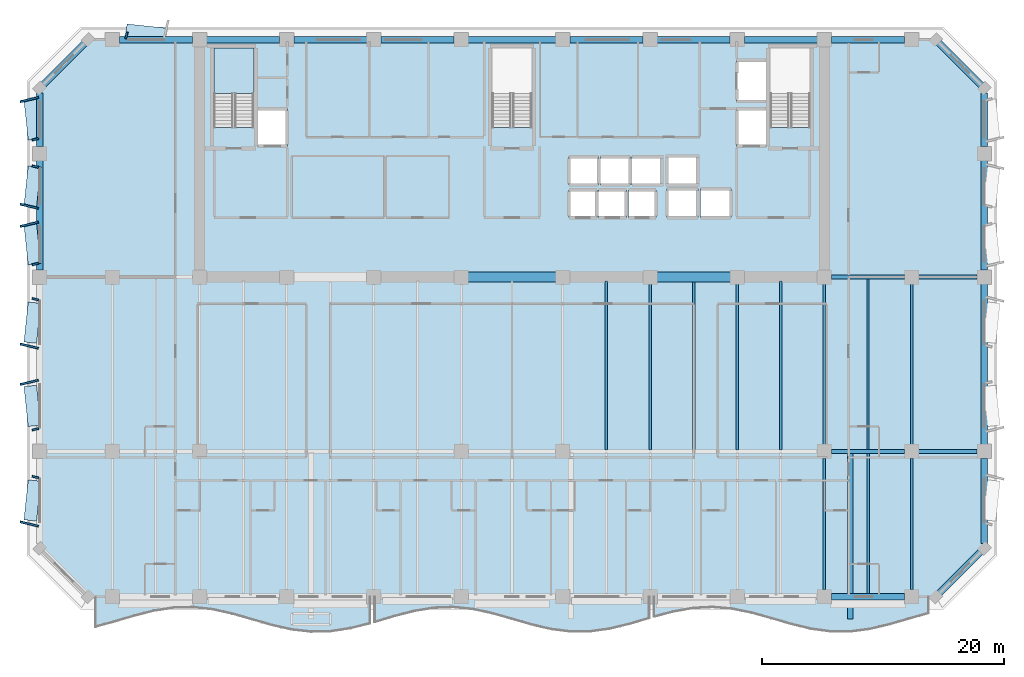
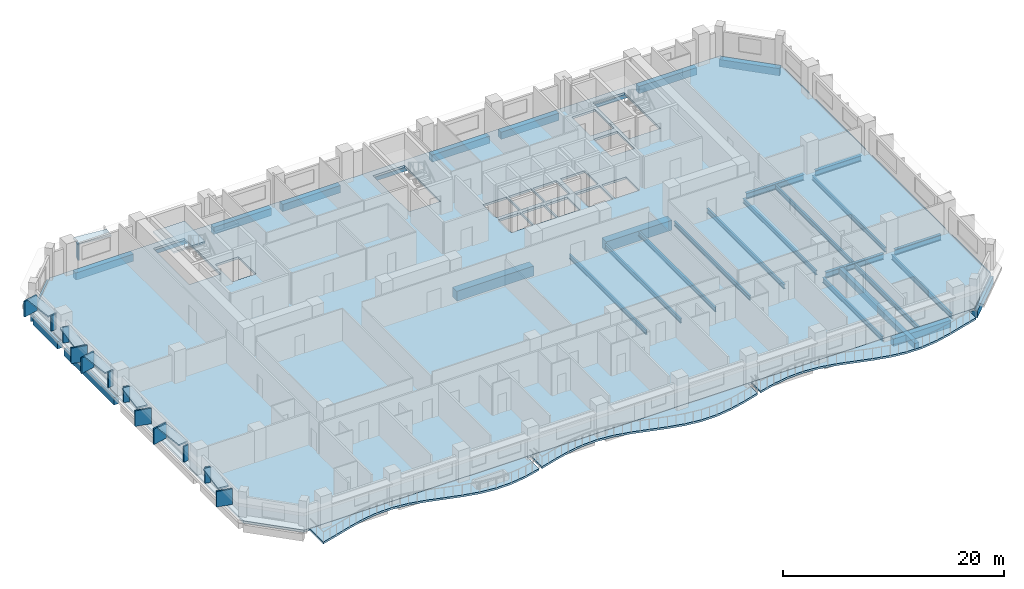
# One storey, part 2 of 15: 37 beams, 20 plates, 5 slabs, 1 element without a shape of its own.
"""IFC4 building model written with IfcOpenShell, lengths in metres."""

from ifc_helpers import new_model, si_unit, direction, frame, origin, origin_2d, place, context, subcontext, project, spatial, polyline, rectangle, i_section, outline, extrude, material, layer, layer_set, material_profile, profile_set, type_object, element, aggregate, save


model = new_model("IFC4")

# Units and contexts
model_context = context("Model", 3, precision=1e-05, world=origin(), true_north=direction((0.0, 1.0)))
body_context = subcontext(model_context, "Body", "Model", "MODEL_VIEW")
ifc_project = project(units=[si_unit("LENGTHUNIT", "METRE"), si_unit("AREAUNIT", "SQUARE_METRE"), si_unit("VOLUMEUNIT", "CUBIC_METRE"), si_unit("PLANEANGLEUNIT", "RADIAN"), si_unit("MASSUNIT", "GRAM", prefix="KILO")], contexts=[model_context])

# Site, building, storey
site_placement = place(None, origin())
site = spatial("IfcSite", under=ifc_project, at=site_placement, CompositionType="ELEMENT")
building_placement = place(site_placement, origin())
building = spatial("IfcBuilding", under=site, at=building_placement, Name="Kaelvorn Grand Hotel", CompositionType="ELEMENT")
storey_placement = place(building_placement, frame((0.0, 0.0, 158.14990234375)))
storey = spatial("IfcBuildingStorey", under=building, at=storey_placement, Name="L38", CompositionType="ELEMENT", Elevation=158.14990234375)

# Beams
ifc_material_1 = material(Name="Steel S355", Category="steel")
ifc_material_profile_1 = material_profile(ifc_material_1, i_section(OverallWidth=0.300048828125, OverallDepth=0.64990234375, WebThickness=0.01611328125, FlangeThickness=0.031005859375, FilletRadius=0.027099609375, at=origin_2d()), Name="HEB 650")
ifc_profile_set_1 = profile_set([ifc_material_profile_1], Name="Steel S355")
beam_type_1 = type_object("IfcBeamType", Name="BM-G-HEB650-S355", PredefinedType="BEAM", material=ifc_profile_set_1)
beam_1_placement = place(storey_placement, frame((68.385009765625, 15.0, -0.56494140625), z_axis=(1.0, 0.0, 0.0), x_axis=(0.0, 1.0, 0.0)))
element("IfcBeam", 1, at=beam_1_placement, inside=storey, type_object=beam_type_1, Name="L38 Primary Spine Steel Girder G-15 06", PredefinedType="BEAM", context=body_context, shape_type="SweptSolid", body=[
    extrude(i_section(OverallWidth=0.300048828125, OverallDepth=0.64990234375, WebThickness=0.01611328125, FlangeThickness=0.031005859375, FilletRadius=0.027099609375, at=origin_2d()), origin(), (0.0, 0.0, 1.0), 6.030029296875),
])
beam_2_placement = place(storey_placement, frame((75.5849609375, 15.0, -0.56494140625), z_axis=(1.0, 0.0, 0.0), x_axis=(0.0, 1.0, 0.0)))
element("IfcBeam", 2, at=beam_2_placement, inside=storey, type_object=beam_type_1, Name="L38 Primary Spine Steel Girder G-15 07", PredefinedType="BEAM", context=body_context, shape_type="SweptSolid", body=[
    extrude(i_section(OverallWidth=0.300048828125, OverallDepth=0.64990234375, WebThickness=0.01611328125, FlangeThickness=0.031005859375, FilletRadius=0.027099609375, at=origin_2d()), origin(), (0.0, 0.0, 1.0), 4.830078125),
])
beam_3_placement = place(storey_placement, frame((68.385009765625, 29.39990234375, -0.56494140625), z_axis=(1.0, 0.0, 0.0), x_axis=(0.0, 1.0, 0.0)))
element("IfcBeam", 3, at=beam_3_placement, inside=storey, type_object=beam_type_1, Name="L38 East Core Wing Steel Girder G-29E 01", PredefinedType="BEAM", context=body_context, shape_type="SweptSolid", body=[
    extrude(i_section(OverallWidth=0.300048828125, OverallDepth=0.64990234375, WebThickness=0.01611328125, FlangeThickness=0.031005859375, FilletRadius=0.027099609375, at=origin_2d()), origin(), (0.0, 0.0, 1.0), 6.030029296875),
])
beam_4_placement = place(storey_placement, frame((75.5849609375, 29.39990234375, -0.56494140625), z_axis=(1.0, 0.0, 0.0), x_axis=(0.0, 1.0, 0.0)))
element("IfcBeam", 4, at=beam_4_placement, inside=storey, type_object=beam_type_1, Name="L38 East Core Wing Steel Girder G-29E 02", PredefinedType="BEAM", context=body_context, shape_type="SweptSolid", body=[
    extrude(i_section(OverallWidth=0.300048828125, OverallDepth=0.64990234375, WebThickness=0.01611328125, FlangeThickness=0.031005859375, FilletRadius=0.027099609375, at=origin_2d()), origin(), (0.0, 0.0, 1.0), 4.830078125),
])
ifc_material_profile_2 = material_profile(ifc_material_1, i_section(OverallWidth=0.199951171875, OverallDepth=0.5, WebThickness=0.01025390625, FlangeThickness=0.01611328125, FilletRadius=0.02099609375, at=origin_2d()), Name="IPE 500")
ifc_profile_set_2 = profile_set([ifc_material_profile_2], Name="Steel S355")
beam_type_2 = type_object("IfcBeamType", Name="BM-J-IPE500-S355", PredefinedType="JOIST", material=ifc_profile_set_2)
beam_5_placement = place(storey_placement, frame((49.800048828125, 15.135009765625, -0.489990234375), z_axis=(0.0, 1.0, 0.0), x_axis=(-1.0, 0.0, 0.0)))
element("IfcBeam", 5, at=beam_5_placement, inside=storey, type_object=beam_type_2, Name="L38 Composite Floor Joist JM-14", PredefinedType="JOIST", context=body_context, shape_type="SweptSolid", body=[
    extrude(i_section(OverallWidth=0.199951171875, OverallDepth=0.5, WebThickness=0.01025390625, FlangeThickness=0.01611328125, FilletRadius=0.02099609375, at=origin_2d()), origin(), (0.0, 0.0, 1.0), 13.925048828125),
])
beam_6_placement = place(storey_placement, frame((53.39990234375, 15.135009765625, -0.489990234375), z_axis=(0.0, 1.0, 0.0), x_axis=(-1.0, 0.0, 0.0)))
element("IfcBeam", 6, at=beam_6_placement, inside=storey, type_object=beam_type_2, Name="L38 Composite Floor Joist JM-15", PredefinedType="JOIST", context=body_context, shape_type="SweptSolid", body=[
    extrude(i_section(OverallWidth=0.199951171875, OverallDepth=0.5, WebThickness=0.01025390625, FlangeThickness=0.01611328125, FilletRadius=0.02099609375, at=origin_2d()), origin(), (0.0, 0.0, 1.0), 13.679931640625),
])
beam_7_placement = place(storey_placement, frame((57.0, 15.135009765625, -0.489990234375), z_axis=(0.0, 1.0, 0.0), x_axis=(-1.0, 0.0, 0.0)))
element("IfcBeam", 7, at=beam_7_placement, inside=storey, type_object=beam_type_2, Name="L38 Composite Floor Joist JM-16", PredefinedType="JOIST", context=body_context, shape_type="SweptSolid", body=[
    extrude(i_section(OverallWidth=0.199951171875, OverallDepth=0.5, WebThickness=0.01025390625, FlangeThickness=0.01611328125, FilletRadius=0.02099609375, at=origin_2d()), origin(), (0.0, 0.0, 1.0), 13.925048828125),
])
beam_8_placement = place(storey_placement, frame((60.60009765625, 15.135009765625, -0.489990234375), z_axis=(0.0, 1.0, 0.0), x_axis=(-1.0, 0.0, 0.0)))
element("IfcBeam", 8, at=beam_8_placement, inside=storey, type_object=beam_type_2, Name="L38 Composite Floor Joist JM-17", PredefinedType="JOIST", context=body_context, shape_type="SweptSolid", body=[
    extrude(i_section(OverallWidth=0.199951171875, OverallDepth=0.5, WebThickness=0.01025390625, FlangeThickness=0.01611328125, FilletRadius=0.02099609375, at=origin_2d()), origin(), (0.0, 0.0, 1.0), 13.679931640625),
])
beam_9_placement = place(storey_placement, frame((64.199951171875, 15.135009765625, -0.489990234375), z_axis=(0.0, 1.0, 0.0), x_axis=(-1.0, 0.0, 0.0)))
element("IfcBeam", 9, at=beam_9_placement, inside=storey, type_object=beam_type_2, Name="L38 Composite Floor Joist JM-18", PredefinedType="JOIST", context=body_context, shape_type="SweptSolid", body=[
    extrude(i_section(OverallWidth=0.199951171875, OverallDepth=0.5, WebThickness=0.01025390625, FlangeThickness=0.01611328125, FilletRadius=0.02099609375, at=origin_2d()), origin(), (0.0, 0.0, 1.0), 13.925048828125),
])
beam_10_placement = place(storey_placement, frame((67.800048828125, 15.5849609375, -0.489990234375), z_axis=(0.0, 1.0, 0.0), x_axis=(-1.0, 0.0, 0.0)))
element("IfcBeam", 10, at=beam_10_placement, inside=storey, type_object=beam_type_2, Name="L38 Composite Floor Joist JM-19", PredefinedType="JOIST", context=body_context, shape_type="SweptSolid", body=[
    extrude(i_section(OverallWidth=0.199951171875, OverallDepth=0.5, WebThickness=0.01025390625, FlangeThickness=0.01611328125, FilletRadius=0.02099609375, at=origin_2d()), origin(), (0.0, 0.0, 1.0), 13.22998046875),
])
beam_11_placement = place(storey_placement, frame((71.39990234375, 15.135009765625, -0.489990234375), z_axis=(0.0, 1.0, 0.0), x_axis=(-1.0, 0.0, 0.0)))
element("IfcBeam", 11, at=beam_11_placement, inside=storey, type_object=beam_type_2, Name="L38 Composite Floor Joist JM-20", PredefinedType="JOIST", context=body_context, shape_type="SweptSolid", body=[
    extrude(i_section(OverallWidth=0.199951171875, OverallDepth=0.5, WebThickness=0.01025390625, FlangeThickness=0.01611328125, FilletRadius=0.02099609375, at=origin_2d()), origin(), (0.0, 0.0, 1.0), 14.1298828125),
])
beam_12_placement = place(storey_placement, frame((75.0, 15.5849609375, -0.489990234375), z_axis=(0.0, 1.0, 0.0), x_axis=(-1.0, 0.0, 0.0)))
element("IfcBeam", 12, at=beam_12_placement, inside=storey, type_object=beam_type_2, Name="L38 Composite Floor Joist JM-21", PredefinedType="JOIST", context=body_context, shape_type="SweptSolid", body=[
    extrude(i_section(OverallWidth=0.199951171875, OverallDepth=0.5, WebThickness=0.01025390625, FlangeThickness=0.01611328125, FilletRadius=0.02099609375, at=origin_2d()), origin(), (0.0, 0.0, 1.0), 13.22998046875),
])
ifc_material_profile_3 = material_profile(ifc_material_1, i_section(OverallWidth=0.2099609375, OverallDepth=0.550048828125, WebThickness=0.010986328125, FlangeThickness=0.01708984375, FilletRadius=0.02392578125, at=origin_2d()), Name="IPE 550")
ifc_profile_set_3 = profile_set([ifc_material_profile_3], Name="Steel S355")
beam_type_3 = type_object("IfcBeamType", Name="BM-J-IPE550-S355", PredefinedType="JOIST", material=ifc_profile_set_3)
beam_13_placement = place(storey_placement, frame((67.800048828125, 3.5849609375, -0.514892578125), z_axis=(0.0, 1.0, 0.0), x_axis=(-1.0, 0.0, 0.0)))
element("IfcBeam", 13, at=beam_13_placement, inside=storey, type_object=beam_type_3, Name="L38 Composite Floor Joist JS-19", PredefinedType="JOIST", context=body_context, shape_type="SweptSolid", body=[
    extrude(i_section(OverallWidth=0.2099609375, OverallDepth=0.550048828125, WebThickness=0.010986328125, FlangeThickness=0.01708984375, FilletRadius=0.02392578125, at=origin_2d()), origin(), (0.0, 0.0, 1.0), 10.830078125),
])
beam_14_placement = place(storey_placement, frame((71.39990234375, 3.260009765625, -0.514892578125), z_axis=(0.0, 1.0, 0.0), x_axis=(-1.0, 0.0, 0.0)))
element("IfcBeam", 14, at=beam_14_placement, inside=storey, type_object=beam_type_3, Name="L38 Composite Floor Joist JS-20", PredefinedType="JOIST", context=body_context, shape_type="SweptSolid", body=[
    extrude(i_section(OverallWidth=0.2099609375, OverallDepth=0.550048828125, WebThickness=0.010986328125, FlangeThickness=0.01708984375, FilletRadius=0.02392578125, at=origin_2d()), origin(), (0.0, 0.0, 1.0), 11.60498046875),
])
beam_15_placement = place(storey_placement, frame((75.0, 3.5849609375, -0.514892578125), z_axis=(0.0, 1.0, 0.0), x_axis=(-1.0, 0.0, 0.0)))
element("IfcBeam", 15, at=beam_15_placement, inside=storey, type_object=beam_type_3, Name="L38 Composite Floor Joist JS-21", PredefinedType="JOIST", context=body_context, shape_type="SweptSolid", body=[
    extrude(i_section(OverallWidth=0.2099609375, OverallDepth=0.550048828125, WebThickness=0.010986328125, FlangeThickness=0.01708984375, FilletRadius=0.02392578125, at=origin_2d()), origin(), (0.0, 0.0, 1.0), 10.830078125),
])
ifc_material_2 = material(Name="Concrete C60/75", Category="concrete")
ifc_material_profile_4 = material_profile(ifc_material_2, rectangle(XDim=0.800048828125, YDim=1.10009765625, at=origin_2d()), Name="RC LINTEL 800x1100")
ifc_profile_set_4 = profile_set([ifc_material_profile_4], Name="Concrete C60/75")
beam_type_4 = type_object("IfcBeamType", Name="BM-LIN-800x1100-C60", PredefinedType="LINTEL", material=ifc_profile_set_4)
beam_16_placement = place(storey_placement, frame((37.97998046875, 29.39990234375, -0.789794921875), z_axis=(1.0, 0.0, 0.0), x_axis=(0.0, 1.0, 0.0)))
element("IfcBeam", 16, at=beam_16_placement, inside=storey, type_object=beam_type_4, Name="L38 Rear-Core Coupling Lintel Beam CB1-02", PredefinedType="LINTEL", context=body_context, shape_type="SweptSolid", body=[
    extrude(rectangle(XDim=0.800048828125, YDim=1.10009765625, at=origin_2d()), origin(), (0.0, 0.0, 1.0), 8.0400390625),
])
beam_17_placement = place(storey_placement, frame((53.580078125, 29.39990234375, -0.789794921875), z_axis=(1.0, 0.0, 0.0), x_axis=(0.0, 1.0, 0.0)))
element("IfcBeam", 17, at=beam_17_placement, inside=storey, type_object=beam_type_4, Name="L38 Rear-Core Coupling Lintel Beam CB1-03", PredefinedType="LINTEL", context=body_context, shape_type="SweptSolid", body=[
    extrude(rectangle(XDim=0.800048828125, YDim=1.10009765625, at=origin_2d()), origin(), (0.0, 0.0, 1.0), 6.83984375),
])
ifc_material_3 = material(Name="Concrete C40/50", Category="concrete")
ifc_material_profile_5 = material_profile(ifc_material_3, rectangle(XDim=0.449951171875, YDim=0.64990234375, at=origin_2d()), Name="RC RIB 450x650")
ifc_profile_set_5 = profile_set([ifc_material_profile_5], Name="Concrete C40/50")
beam_type_5 = type_object("IfcBeamType", Name="BM-RIB-450x650-C40", PredefinedType="SPANDREL", material=ifc_profile_set_5)
beam_18_placement = place(storey_placement, frame((69.923828125, 1.14990234375, -0.544921875), z_axis=(0.0, 1.0, 0.0), x_axis=(-1.0, 0.0, 0.0)))
element("IfcBeam", 18, at=beam_18_placement, inside=storey, type_object=beam_type_5, Name="L38 Cantilevered Balcony Back-Span Rib RB1-3", PredefinedType="SPANDREL", context=body_context, shape_type="SweptSolid", body=[
    extrude(rectangle(XDim=0.449951171875, YDim=0.64990234375, at=origin_2d()), origin(), (0.0, 0.0, 1.0), 13.715087890625),
])
ifc_material_4 = material(Name="Concrete C50/60", Category="concrete")
ifc_material_profile_6 = material_profile(ifc_material_4, rectangle(XDim=0.550048828125, YDim=0.800048828125, at=origin_2d()), Name="RC SPANDREL 550x800")
ifc_profile_set_6 = profile_set([ifc_material_profile_6], Name="Concrete C50/60")
beam_type_6 = type_object("IfcBeamType", Name="BM-SP-550x800-C50", PredefinedType="SPANDREL", material=ifc_profile_set_6)
for number, where, z_axis, x_axis, name in (
    (19, (68.385009765625, 3.0, -0.639892578125), (1.0, 0.0, 0.0), (0.0, 1.0, 0.0), "L38 South Perimeter Spandrel 10"),
    (20, (9.5849609375, 49.0, -0.639892578125), (1.0, 0.0, 0.0), (0.0, 1.0, 0.0), "L38 North Perimeter Spandrel 02"),
    (21, (16.784912109375, 49.0, -0.639892578125), (1.0, 0.0, 0.0), (0.0, 1.0, 0.0), "L38 North Perimeter Spandrel 03"),
):
    element("IfcBeam", number, at=place(storey_placement, frame(where, z_axis=z_axis, x_axis=x_axis)), inside=storey, type_object=beam_type_6, Name=name, PredefinedType="SPANDREL", context=body_context, shape_type="SweptSolid", body=[
        extrude(rectangle(XDim=0.550048828125, YDim=0.800048828125, at=origin_2d()), origin(), (0.0, 0.0, 1.0), 6.030029296875),
    ])
beam_19_placement = place(storey_placement, frame((23.985107421875, 49.0, -0.639892578125), z_axis=(1.0, 0.0, 0.0), x_axis=(0.0, 1.0, 0.0)))
element("IfcBeam", 22, at=beam_19_placement, inside=storey, type_object=beam_type_6, Name="L38 North Perimeter Spandrel 04", PredefinedType="SPANDREL", context=body_context, shape_type="SweptSolid", body=[
    extrude(rectangle(XDim=0.550048828125, YDim=0.800048828125, at=origin_2d()), origin(), (0.0, 0.0, 1.0), 6.02978515625),
])
beam_20_placement = place(storey_placement, frame((31.18505859375, 49.0, -0.639892578125), z_axis=(1.0, 0.0, 0.0), x_axis=(0.0, 1.0, 0.0)))
element("IfcBeam", 23, at=beam_20_placement, inside=storey, type_object=beam_type_6, Name="L38 North Perimeter Spandrel 05", PredefinedType="SPANDREL", context=body_context, shape_type="SweptSolid", body=[
    extrude(rectangle(XDim=0.550048828125, YDim=0.800048828125, at=origin_2d()), origin(), (0.0, 0.0, 1.0), 6.030029296875),
])
beam_21_placement = place(storey_placement, frame((38.385009765625, 49.0, -0.639892578125), z_axis=(1.0, 0.0, 0.0), x_axis=(0.0, 1.0, 0.0)))
element("IfcBeam", 24, at=beam_21_placement, inside=storey, type_object=beam_type_6, Name="L38 North Perimeter Spandrel 06", PredefinedType="SPANDREL", context=body_context, shape_type="SweptSolid", body=[
    extrude(rectangle(XDim=0.550048828125, YDim=0.800048828125, at=origin_2d()), origin(), (0.0, 0.0, 1.0), 7.22998046875),
])
beam_22_placement = place(storey_placement, frame((46.784912109375, 49.0, -0.639892578125), z_axis=(1.0, 0.0, 0.0), x_axis=(0.0, 1.0, 0.0)))
element("IfcBeam", 25, at=beam_22_placement, inside=storey, type_object=beam_type_6, Name="L38 North Perimeter Spandrel 07", PredefinedType="SPANDREL", context=body_context, shape_type="SweptSolid", body=[
    extrude(rectangle(XDim=0.550048828125, YDim=0.800048828125, at=origin_2d()), origin(), (0.0, 0.0, 1.0), 6.030029296875),
])
beam_23_placement = place(storey_placement, frame((53.985107421875, 49.0, -0.639892578125), z_axis=(1.0, 0.0, 0.0), x_axis=(0.0, 1.0, 0.0)))
element("IfcBeam", 26, at=beam_23_placement, inside=storey, type_object=beam_type_6, Name="L38 North Perimeter Spandrel 08", PredefinedType="SPANDREL", context=body_context, shape_type="SweptSolid", body=[
    extrude(rectangle(XDim=0.550048828125, YDim=0.800048828125, at=origin_2d()), origin(), (0.0, 0.0, 1.0), 6.02978515625),
])
for number, where, z_axis, x_axis, name in (
    (27, (61.18505859375, 49.0, -0.639892578125), (1.0, 0.0, 0.0), (0.0, 1.0, 0.0), "L38 North Perimeter Spandrel 09"),
    (28, (68.385009765625, 49.0, -0.639892578125), (1.0, 0.0, 0.0), (0.0, 1.0, 0.0), "L38 North Perimeter Spandrel 10"),
):
    element("IfcBeam", number, at=place(storey_placement, frame(where, z_axis=z_axis, x_axis=x_axis)), inside=storey, type_object=beam_type_6, Name=name, PredefinedType="SPANDREL", context=body_context, shape_type="SweptSolid", body=[
        extrude(rectangle(XDim=0.550048828125, YDim=0.800048828125, at=origin_2d()), origin(), (0.0, 0.0, 1.0), 6.030029296875),
    ])
beam_24_placement = place(storey_placement, frame((3.0, 29.985107421875, -0.639892578125), z_axis=(0.0, 1.0, 0.0), x_axis=(-1.0, 0.0, 0.0)))
element("IfcBeam", 29, at=beam_24_placement, inside=storey, type_object=beam_type_6, Name="L38 West Perimeter Spandrel 03", PredefinedType="SPANDREL", context=body_context, shape_type="SweptSolid", body=[
    extrude(rectangle(XDim=0.550048828125, YDim=0.800048828125, at=origin_2d()), origin(), (0.0, 0.0, 1.0), 9.02978515625),
])
beam_25_placement = place(storey_placement, frame((3.0, 40.18505859375, -0.639892578125), z_axis=(0.0, 1.0, 0.0), x_axis=(-1.0, 0.0, 0.0)))
element("IfcBeam", 30, at=beam_25_placement, inside=storey, type_object=beam_type_6, Name="L38 West Perimeter Spandrel 04", PredefinedType="SPANDREL", context=body_context, shape_type="SweptSolid", body=[
    extrude(rectangle(XDim=0.550048828125, YDim=0.800048828125, at=origin_2d()), origin(), (0.0, 0.0, 1.0), 4.409912109375),
])
beam_26_placement = place(storey_placement, frame((81.0, 7.405029296875, -0.639892578125), z_axis=(0.0, 1.0, 0.0), x_axis=(-1.0, 0.0, 0.0)))
element("IfcBeam", 31, at=beam_26_placement, inside=storey, type_object=beam_type_6, Name="L38 East Perimeter Spandrel 01", PredefinedType="SPANDREL", context=body_context, shape_type="SweptSolid", body=[
    extrude(rectangle(XDim=0.550048828125, YDim=0.800048828125, at=origin_2d()), origin(), (0.0, 0.0, 1.0), 7.010009765625),
])
beam_27_placement = place(storey_placement, frame((81.0, 15.5849609375, -0.639892578125), z_axis=(0.0, 1.0, 0.0), x_axis=(-1.0, 0.0, 0.0)))
element("IfcBeam", 32, at=beam_27_placement, inside=storey, type_object=beam_type_6, Name="L38 East Perimeter Spandrel 02", PredefinedType="SPANDREL", context=body_context, shape_type="SweptSolid", body=[
    extrude(rectangle(XDim=0.550048828125, YDim=0.800048828125, at=origin_2d()), origin(), (0.0, 0.0, 1.0), 13.22998046875),
])
beam_28_placement = place(storey_placement, frame((81.0, 29.985107421875, -0.639892578125), z_axis=(0.0, 1.0, 0.0), x_axis=(-1.0, 0.0, 0.0)))
element("IfcBeam", 33, at=beam_28_placement, inside=storey, type_object=beam_type_6, Name="L38 East Perimeter Spandrel 03", PredefinedType="SPANDREL", context=body_context, shape_type="SweptSolid", body=[
    extrude(rectangle(XDim=0.550048828125, YDim=0.800048828125, at=origin_2d()), origin(), (0.0, 0.0, 1.0), 9.02978515625),
])
beam_29_placement = place(storey_placement, frame((81.0, 40.18505859375, -0.639892578125), z_axis=(0.0, 1.0, 0.0), x_axis=(-1.0, 0.0, 0.0)))
element("IfcBeam", 34, at=beam_29_placement, inside=storey, type_object=beam_type_6, Name="L38 East Perimeter Spandrel 04", PredefinedType="SPANDREL", context=body_context, shape_type="SweptSolid", body=[
    extrude(rectangle(XDim=0.550048828125, YDim=0.800048828125, at=origin_2d()), origin(), (0.0, 0.0, 1.0), 4.409912109375),
])
for number, where, z_axis, x_axis, name in (
    (35, (77.0, 3.0, -0.639892578125), (0.707106781187, 0.707106781187, 0.0), (-0.707106781187, 0.707106781187, 0.0), "L38 Chamfer Spandrel Beam 1"),
    (36, (81.0, 45.0, -0.639892578125), (-0.707106781187, 0.707106781187, 0.0), (-0.707106781187, -0.707106781187, 0.0), "L38 Chamfer Spandrel Beam 2"),
    (37, (7.0, 49.0, -0.639892578125), (-0.707106781187, -0.707106781187, 0.0), (0.707106781187, -0.707106781187, 0.0), "L38 Chamfer Spandrel Beam 3"),
):
    element("IfcBeam", number, at=place(storey_placement, frame(where, z_axis=z_axis, x_axis=x_axis)), inside=storey, type_object=beam_type_6, Name=name, PredefinedType="SPANDREL", context=body_context, shape_type="SweptSolid", body=[
        extrude(rectangle(XDim=0.550048828125, YDim=0.800048828125, at=origin_2d()), origin(), (0.0, 0.0, 1.0), 5.65673828125),
    ])

# Plates
ifc_material_5 = material(Name="Precast concrete C45/55", Category="concrete")
ifc_layer_1 = layer(ifc_material_5, 0.159912109375)
ifc_layer_set_1 = layer_set([ifc_layer_1], Name="Precast concrete C45/55")
plate_type_1 = type_object("IfcPlateType", Name="PL-FRAME-DEEP-1550", PredefinedType="USERDEFINED", material=ifc_layer_set_1)
for number, where, z_axis, x_axis, name in (
    (38, (2.14501953125, 9.010009765625, 0.81494140625), (0.0, 0.0, 1.0), (0.233445363856, 0.972369920398, 0.0), "L38 Tilted Precast Window Frame Fin L-W01"),
    (39, (2.14501953125, 20.705078125, 0.81494140625), (0.0, 0.0, 1.0), (-0.233445363856, 0.972369920398, 0.0), "L38 Tilted Precast Window Frame Fin R-W02"),
    (40, (2.14501953125, 23.695068359375, 0.81494140625), (0.0, 0.0, 1.0), (0.233445363856, 0.972369920398, 0.0), "L38 Tilted Precast Window Frame Fin L-W03"),
    (41, (2.14501953125, 33.7548828125, 0.740234375), (0.0, 0.0, 1.0), (-0.233445363856, 0.972369920398, 0.0), "L38 Tilted Precast Window Frame Fin R-W04"),
    (42, (2.14501953125, 35.2451171875, 0.740234375), (0.0, 0.0, 1.0), (0.233445363856, 0.972369920398, 0.0), "L38 Tilted Precast Window Frame Fin L-W05"),
    (43, (2.14501953125, 44.054931640625, 0.740234375), (0.0, 0.0, 1.0), (-0.233445363856, 0.972369920398, 0.0), "L38 Tilted Precast Window Frame Fin R-W06"),
):
    element("IfcPlate", number, at=place(storey_placement, frame(where, z_axis=z_axis, x_axis=x_axis)), inside=storey, type_object=plate_type_1, Name=name, ObjectType="FLANGE_PLATE", PredefinedType="USERDEFINED", context=body_context, shape_type="SweptSolid", body=[
        extrude(rectangle(XDim=0.159912109375, YDim=1.550048828125, at=origin_2d()), origin(), (0.0, 0.0, 1.0), 1.719970703125),
    ])
ifc_layer_2 = layer(ifc_material_5, 0.159912109375)
ifc_layer_set_2 = layer_set([ifc_layer_2], Name="Precast concrete C45/55")
plate_type_2 = type_object("IfcPlateType", Name="PL-FRAME-HEAD-1050", PredefinedType="USERDEFINED", material=ifc_layer_set_2)
for number, where, z_axis, x_axis, name in (
    (44, (2.39501953125, 10.949951171875, 2.5), (0.0, 0.0, 1.0), (0.105830199459, 0.994384215926, 0.0), "L38 Precast Window Frame Head Hood H-W01"),
    (45, (2.39501953125, 18.764892578125, 2.5), (0.0, 0.0, 1.0), (-0.105830199459, 0.994384215926, 0.0), "L38 Precast Window Frame Head Hood H-W02"),
    (46, (2.39501953125, 25.635009765625, 2.5), (0.0, 0.0, 1.0), (0.105830199459, 0.994384215926, 0.0), "L38 Precast Window Frame Head Hood H-W03"),
    (47, (2.39501953125, 32.114990234375, 2.35009765625), (0.0, 0.0, 1.0), (-0.105830199459, 0.994384215926, 0.0), "L38 Precast Window Frame Head Hood H-W04"),
    (48, (2.39501953125, 36.885009765625, 2.35009765625), (0.0, 0.0, 1.0), (0.105830199459, 0.994384215926, 0.0), "L38 Precast Window Frame Head Hood H-W05"),
    (49, (2.39501953125, 42.4150390625, 2.35009765625), (0.0, 0.0, 1.0), (-0.105830199459, 0.994384215926, 0.0), "L38 Precast Window Frame Head Hood H-W06"),
    (50, (11.800048828125, 49.60498046875, 2.35009765625), (0.0, 0.0, 1.0), (0.994384215926, -0.105830199459, 0.0), "L38 Precast Window Frame Head Hood H-N01"),
):
    element("IfcPlate", number, at=place(storey_placement, frame(where, z_axis=z_axis, x_axis=x_axis)), inside=storey, type_object=plate_type_2, Name=name, ObjectType="FLANGE_PLATE", PredefinedType="USERDEFINED", context=body_context, shape_type="SweptSolid", body=[
        extrude(rectangle(XDim=3.320068359375, YDim=1.050048828125, at=origin_2d()), origin(), (0.0, 0.0, 1.0), 0.159912109375),
    ])
ifc_layer_3 = layer(ifc_material_5, 0.159912109375)
ifc_layer_set_3 = layer_set([ifc_layer_3], Name="Precast concrete C45/55")
plate_type_3 = type_object("IfcPlateType", Name="PL-FRAME-SHAL-550", PredefinedType="USERDEFINED", material=ifc_layer_set_3)
for number, where, z_axis, x_axis, name in (
    (51, (2.64501953125, 12.889892578125, 0.81494140625), (0.0, 0.0, 1.0), (0.233445363856, 0.972369920398, 0.0), "L38 Tilted Precast Window Frame Fin R-W01"),
    (52, (2.64501953125, 16.824951171875, 0.81494140625), (0.0, 0.0, 1.0), (-0.233445363856, 0.972369920398, 0.0), "L38 Tilted Precast Window Frame Fin L-W02"),
    (53, (2.64501953125, 27.574951171875, 0.81494140625), (0.0, 0.0, 1.0), (0.233445363856, 0.972369920398, 0.0), "L38 Tilted Precast Window Frame Fin R-W03"),
    (54, (2.64501953125, 30.47509765625, 0.740234375), (0.0, 0.0, 1.0), (-0.233445363856, 0.972369920398, 0.0), "L38 Tilted Precast Window Frame Fin L-W04"),
    (55, (2.64501953125, 38.52490234375, 0.740234375), (0.0, 0.0, 1.0), (0.233445363856, 0.972369920398, 0.0), "L38 Tilted Precast Window Frame Fin R-W05"),
    (56, (2.64501953125, 40.77490234375, 0.740234375), (0.0, 0.0, 1.0), (-0.233445363856, 0.972369920398, 0.0), "L38 Tilted Precast Window Frame Fin L-W06"),
    (57, (10.159912109375, 49.35498046875, 0.740234375), (0.0, 0.0, 1.0), (0.972369920398, -0.233445363856, 0.0), "L38 Tilted Precast Window Frame Fin L-N01"),
):
    element("IfcPlate", number, at=place(storey_placement, frame(where, z_axis=z_axis, x_axis=x_axis)), inside=storey, type_object=plate_type_3, Name=name, ObjectType="FLANGE_PLATE", PredefinedType="USERDEFINED", context=body_context, shape_type="SweptSolid", body=[
        extrude(rectangle(XDim=0.159912109375, YDim=0.550048828125, at=origin_2d()), origin(), (0.0, 0.0, 1.0), 1.719970703125),
    ])

# Slabs
ifc_layer_4 = layer(ifc_material_3, 0.219970703125)
ifc_layer_set_4 = layer_set([ifc_layer_4], Name="Concrete C40/50")
slab_type_1 = type_object("IfcSlabType", Name="SLB-BALC-220-C40", PredefinedType="FLOOR", material=ifc_layer_set_4)
slab_1_placement = place(storey_placement, frame((0.0, 0.0, -0.219970703125)))
element("IfcSlab", 58, at=slab_1_placement, inside=storey, type_object=slab_type_1, Name="L38 Scalloped Wave Balcony Slab 1", PredefinedType="FLOOR", context=body_context, shape_type="SweptSolid", body=[
    extrude(outline(polyline([(7.60009765625, 0.5224609375), (9.218994140625, 0.96435546875), (10.838134765625, 1.441162109375), (12.45703125, 1.84912109375), (14.076171875, 2.099365234375), (15.6953125, 2.1376953125), (17.314208984375, 1.955322265625), (18.933349609375, 1.592041015625), (20.552490234375, 1.127197265625), (22.17138671875, 0.661865234375), (23.79052734375, 0.29736328125), (25.409423828125, 0.113037109375), (27.028564453125, 0.149169921875), (28.647705078125, 0.397705078125), (30.2666015625, 0.804443359375), (30.2666015625, 3.0), (7.60009765625, 3.0), (7.60009765625, 0.5224609375)])), origin(), (0.0, 0.0, 1.0), 0.219970703125),
])
slab_2_placement = place(storey_placement, frame((0.0, 0.0, -0.219970703125)))
element("IfcSlab", 59, at=slab_2_placement, inside=storey, type_object=slab_type_1, Name="L38 Scalloped Wave Balcony Slab 2", PredefinedType="FLOOR", context=body_context, shape_type="SweptSolid", body=[
    extrude(outline(polyline([(30.666748046875, 0.919677734375), (32.28564453125, 1.397705078125), (33.90478515625, 1.81640625), (35.52392578125, 2.08447265625), (37.142822265625, 2.1435546875), (38.761962890625, 1.98095703125), (40.380859375, 1.632080078125), (42.0, 1.172607421875), (43.619140625, 0.702880859375), (45.238037109375, 0.324951171875), (46.857177734375, 0.121337890625), (48.47607421875, 0.13623046875), (50.09521484375, 0.3662109375), (51.71435546875, 0.76171875), (53.333251953125, 1.236083984375), (53.333251953125, 3.0), (30.666748046875, 3.0), (30.666748046875, 0.919677734375)])), origin(), (0.0, 0.0, 1.0), 0.219970703125),
])
slab_3_placement = place(storey_placement, frame((0.0, 0.0, -0.219970703125)))
element("IfcSlab", 60, at=slab_3_placement, inside=storey, type_object=slab_type_1, Name="L38 Scalloped Wave Balcony Slab 3", PredefinedType="FLOOR", context=body_context, shape_type="SweptSolid", body=[
    extrude(outline(polyline([(53.7333984375, 1.353759765625), (55.352294921875, 1.7822265625), (56.971435546875, 2.067626953125), (58.590576171875, 2.147705078125), (60.20947265625, 2.005126953125), (61.82861328125, 1.671142578125), (63.447509765625, 1.218017578125), (65.066650390625, 0.74462890625), (66.685791015625, 0.354248046875), (68.3046875, 0.131591796875), (69.923828125, 0.125244140625), (71.54296875, 0.33642578125), (73.161865234375, 0.719482421875), (74.781005859375, 1.19091796875), (76.39990234375, 1.647705078125), (76.39990234375, 3.0), (53.7333984375, 3.0), (53.7333984375, 1.353759765625)])), origin(), (0.0, 0.0, 1.0), 0.219970703125),
])
ifc_layer_5 = layer(ifc_material_3, 0.239990234375)
ifc_layer_set_5 = layer_set([ifc_layer_5], Name="Concrete C40/50")
slab_type_2 = type_object("IfcSlabType", Name="SLB-FLR-240-C40", PredefinedType="FLOOR", material=ifc_layer_set_5)
slab_4_placement = place(storey_placement, frame((0.0, 0.0, -0.239990234375)))
element("IfcSlab", 61, at=slab_4_placement, inside=storey, type_object=slab_type_2, Name="L38 Indoor Suspended Floor Slab", PredefinedType="FLOOR", context=body_context, shape_type="SweptSolid", body=[
    extrude(outline(polyline([(7.0, 3.0), (77.0, 3.0), (81.0, 7.0), (81.0, 45.0), (77.0, 49.0), (7.0, 49.0), (3.0, 45.0), (3.0, 7.0), (7.0, 3.0)]), holes=[polyline([(17.39990234375, 41.760009765625), (17.39990234375, 48.300048828125), (20.679931640625, 48.300048828125), (20.679931640625, 41.760009765625), (17.39990234375, 41.760009765625)]), polyline([(40.360107421875, 41.760009765625), (40.360107421875, 48.300048828125), (43.639892578125, 48.300048828125), (43.639892578125, 41.760009765625), (40.360107421875, 41.760009765625)]), polyline([(63.320068359375, 41.760009765625), (63.320068359375, 48.300048828125), (66.60009765625, 48.300048828125), (66.60009765625, 41.760009765625), (63.320068359375, 41.760009765625)]), polyline([(46.699951171875, 34.300048828125), (46.699951171875, 36.60009765625), (49.0, 36.60009765625), (49.0, 34.300048828125), (46.699951171875, 34.300048828125)]), polyline([(49.14990234375, 34.300048828125), (49.14990234375, 36.60009765625), (51.449951171875, 36.60009765625), (51.449951171875, 34.300048828125), (49.14990234375, 34.300048828125)]), polyline([(51.60009765625, 34.300048828125), (51.60009765625, 36.60009765625), (53.89990234375, 36.60009765625), (53.89990234375, 34.300048828125), (51.60009765625, 34.300048828125)]), polyline([(46.699951171875, 37.0), (46.699951171875, 39.35009765625), (49.14990234375, 39.35009765625), (49.14990234375, 37.0), (46.699951171875, 37.0)]), polyline([(49.300048828125, 37.0), (49.300048828125, 39.35009765625), (51.75, 39.35009765625), (51.75, 37.0), (49.300048828125, 37.0)]), polyline([(51.89990234375, 37.0), (51.89990234375, 39.35009765625), (54.35009765625, 39.35009765625), (54.35009765625, 37.0), (51.89990234375, 37.0)]), polyline([(54.800048828125, 34.300048828125), (54.800048828125, 36.699951171875), (57.35009765625, 36.699951171875), (57.35009765625, 34.300048828125), (54.800048828125, 34.300048828125)]), polyline([(57.550048828125, 34.300048828125), (57.550048828125, 36.699951171875), (60.10009765625, 36.699951171875), (60.10009765625, 34.300048828125), (57.550048828125, 34.300048828125)]), polyline([(54.800048828125, 37.0), (54.800048828125, 39.39990234375), (57.35009765625, 39.39990234375), (57.35009765625, 37.0), (54.800048828125, 37.0)]), polyline([(21.0, 40.199951171875), (21.0, 43.300048828125), (23.449951171875, 43.300048828125), (23.449951171875, 40.199951171875), (21.0, 40.199951171875)]), polyline([(60.550048828125, 40.199951171875), (60.550048828125, 43.300048828125), (63.0, 43.300048828125), (63.0, 40.199951171875), (60.550048828125, 40.199951171875)]), polyline([(60.550048828125, 43.89990234375), (60.550048828125, 47.300048828125), (63.0, 47.300048828125), (63.0, 43.89990234375), (60.550048828125, 43.89990234375)])]), origin(), (0.0, 0.0, 1.0), 0.239990234375),
])

# Stair, slab
stair_type = type_object("IfcStairType", Name="STR-DOG-1560-R08", PredefinedType="HALF_TURN_STAIR", material=ifc_material_3)
stair_placement = place(storey_placement, origin())
stair = element("IfcStair", 62, at=stair_placement, inside=storey, type_object=stair_type, Name="L38 West Core Exit Stair ST1", PredefinedType="HALF_TURN_STAIR")
ifc_layer_6 = layer(ifc_material_3, 0.199951171875)
ifc_layer_set_6 = layer_set([ifc_layer_6], Name="Concrete C40/50")
slab_type_3 = type_object("IfcSlabType", Name="SLB-LAND-200-C40", PredefinedType="LANDING", material=ifc_layer_set_6)
slab_5_placement = place(storey_placement, frame((0.0, 0.0, 1.7001953125)))
slab_5 = element("IfcSlab", 63, at=slab_5_placement, type_object=slab_type_3, Name="ST1 landing 1", PredefinedType="LANDING", context=body_context, shape_type="SweptSolid", body=[
    extrude(outline(polyline([(20.679931640625, 44.56005859375), (20.679931640625, 48.300048828125), (17.39990234375, 48.300048828125), (17.39990234375, 44.56005859375), (20.679931640625, 44.56005859375)])), origin(), (0.0, 0.0, 1.0), 0.199951171875),
])
aggregate(stair, [slab_5])

save(model, "model.ifc")
